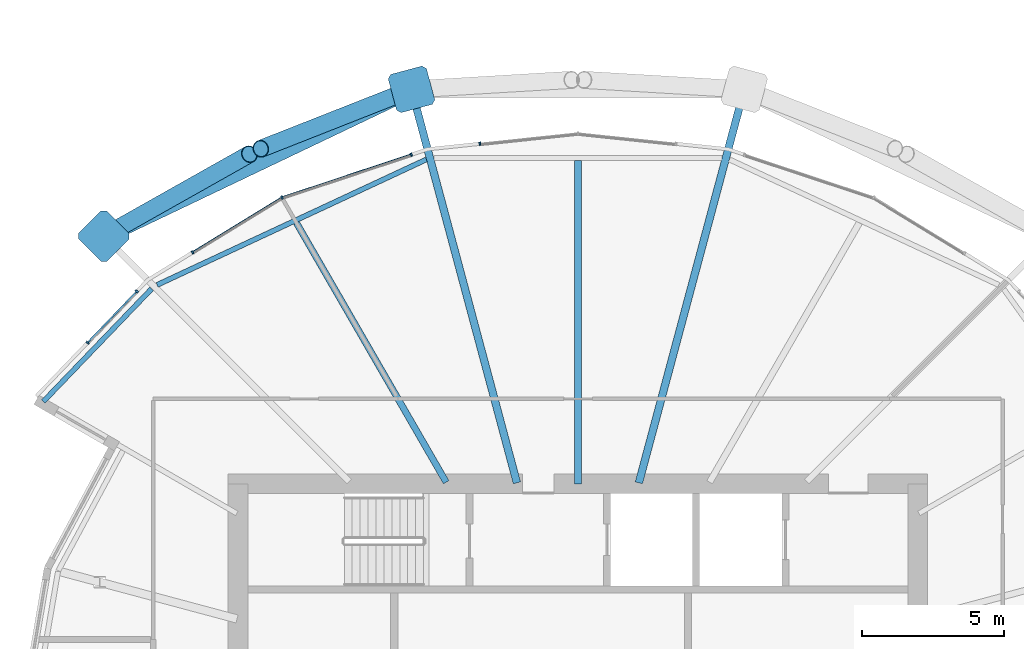
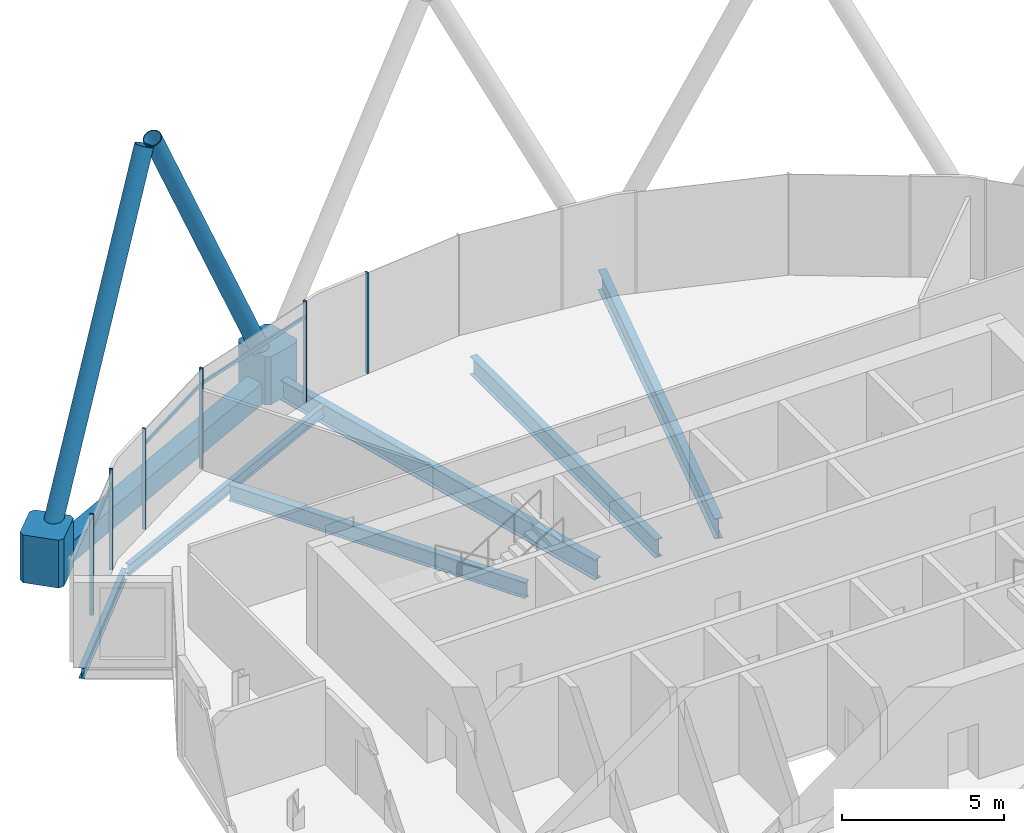
# One storey, part 9 of 35: 13 members, 7 beams, 1 element without a shape of its own.
"""IFC4 building model written with IfcOpenShell, lengths in metres."""

from ifc_helpers import new_model, si_unit, direction, frame, origin, origin_2d, place, context, subcontext, project, spatial, polyline, rectangle, hollow_rectangle, hollow_circle, i_section, outline, extrude, material, material_profile, profile_set, type_object, element, aggregate, save


model = new_model("IFC4")

# Units and contexts
model_context = context("Model", 3, precision=1e-05, world=origin(), true_north=direction((0.0, 1.0)))
body_context = subcontext(model_context, "Body", "Model", "MODEL_VIEW")
ifc_project = project(units=[si_unit("LENGTHUNIT", "METRE"), si_unit("AREAUNIT", "SQUARE_METRE"), si_unit("VOLUMEUNIT", "CUBIC_METRE"), si_unit("PLANEANGLEUNIT", "RADIAN"), si_unit("MASSUNIT", "GRAM", prefix="KILO")], contexts=[model_context])

# Site, building, storey
site_placement = place(None, origin())
site = spatial("IfcSite", under=ifc_project, at=site_placement, CompositionType="ELEMENT")
building_placement = place(site_placement, origin())
building = spatial("IfcBuilding", under=site, at=building_placement, Name="Rimbun Link Towers", CompositionType="ELEMENT")
storey_placement = place(building_placement, frame((0.0, 0.0, 146.800048828125)))
storey = spatial("IfcBuildingStorey", under=building, at=storey_placement, Name="L35", CompositionType="ELEMENT", Elevation=146.800048828125)

# Curtain wall, members
ifc_material_1 = material(Name="Aluminium 6063-T6 and low-iron glass", Category="aluminium")
curtain_wall_type = type_object("IfcCurtainWallType", Name="CW4 link block wall", PredefinedType="NOTDEFINED", material=ifc_material_1)
curtain_wall_placement = place(storey_placement, origin())
curtain_wall = element("IfcCurtainWall", 1, at=curtain_wall_placement, inside=storey, type_object=curtain_wall_type, Name="CW4 L35 T1", PredefinedType="NOTDEFINED")
ifc_material_2 = material(Name="Aluminium 6063-T6", Category="aluminium")
ifc_material_profile_1 = material_profile(ifc_material_2, rectangle(XDim=0.1201171875, YDim=0.06005859375, at=origin_2d()), Name="MULLION 60X120")
ifc_profile_set_1 = profile_set([ifc_material_profile_1], Name="Aluminium 6063-T6")
member_type_1 = type_object("IfcMemberType", Name="CW4 mullion 60X120", PredefinedType="MULLION", material=ifc_profile_set_1)
member_1_placement = place(storey_placement, frame((-35.21044921875, 20.011474609375, 0.0), z_axis=(0.0, 0.0, 1.0), x_axis=(-0.104745411125, 0.994499069305, 0.0)))
member_1 = element("IfcMember", 2, at=member_1_placement, type_object=member_type_1, Name="CW4 mullion", PredefinedType="MULLION", context=body_context, shape_type="SweptSolid", body=[
    extrude(rectangle(XDim=0.1201171875, YDim=0.06005859375, at=origin_2d()), origin(), (0.0, 0.0, 1.0), 3.800048828125),
])
member_2_placement = place(storey_placement, frame((-42.20068359375, 18.11181640625, 0.0), z_axis=(0.0, 0.0, 1.0), x_axis=(-0.421697332152, 0.906736654192, 0.0)))
member_2 = element("IfcMember", 3, at=member_2_placement, type_object=member_type_1, Name="CW4 mullion", PredefinedType="MULLION", context=body_context, shape_type="SweptSolid", body=[
    extrude(rectangle(XDim=0.1201171875, YDim=0.06005859375, at=origin_2d()), origin(), (0.0, 0.0, 1.0), 3.800048828125),
])
member_3_placement = place(storey_placement, frame((-37.632568359375, 19.626220703125, 0.0), z_axis=(0.0, 0.0, 1.0), x_axis=(-0.314567961741, 0.949234953763, 0.0)))
member_3 = element("IfcMember", 4, at=member_3_placement, type_object=member_type_1, Name="CW4 mullion", PredefinedType="MULLION", context=body_context, shape_type="SweptSolid", body=[
    extrude(rectangle(XDim=0.1201171875, YDim=0.06005859375, at=origin_2d()), origin(), (0.0, 0.0, 1.0), 3.800048828125),
])
member_4_placement = place(storey_placement, frame((-45.359130859375, 16.17333984375, 0.0), z_axis=(0.0, 0.0, 1.0), x_axis=(-0.523225378089, 0.852194346217, 0.0)))
member_4 = element("IfcMember", 5, at=member_4_placement, type_object=member_type_1, Name="CW4 mullion", PredefinedType="MULLION", context=body_context, shape_type="SweptSolid", body=[
    extrude(rectangle(XDim=0.1201171875, YDim=0.06005859375, at=origin_2d()), origin(), (0.0, 0.0, 1.0), 3.800048828125),
])
member_5_placement = place(storey_placement, frame((-49.066162109375, 12.98583984375, 0.0), z_axis=(0.0, 0.0, 1.0), x_axis=(-0.721858090698, 0.692041109252, 0.0)))
member_5 = element("IfcMember", 6, at=member_5_placement, type_object=member_type_1, Name="CW4 mullion", PredefinedType="MULLION", context=body_context, shape_type="SweptSolid", body=[
    extrude(rectangle(XDim=0.1201171875, YDim=0.06005859375, at=origin_2d()), origin(), (0.0, 0.0, 1.0), 3.800048828125),
])
member_6_placement = place(storey_placement, frame((-47.328125, 14.798583984375, 0.0), z_axis=(0.0, 0.0, 1.0), x_axis=(-0.721858090698, 0.692041109252, 0.0)))
member_6 = element("IfcMember", 7, at=member_6_placement, type_object=member_type_1, Name="CW4 mullion", PredefinedType="MULLION", context=body_context, shape_type="SweptSolid", body=[
    extrude(rectangle(XDim=0.1201171875, YDim=0.06005859375, at=origin_2d()), origin(), (0.0, 0.0, 1.0), 3.800048828125),
])
ifc_material_3 = material(Name="Aluminium 6063-T6", Category="aluminium")
ifc_material_profile_2 = material_profile(ifc_material_3, rectangle(XDim=0.06005859375, YDim=0.1201171875, at=origin_2d()), Name="TRANSOM 60X120")
ifc_profile_set_2 = profile_set([ifc_material_profile_2], Name="Aluminium 6063-T6")
member_type_2 = type_object("IfcMemberType", Name="CW4 transom 60X120", PredefinedType="USERDEFINED", material=ifc_profile_set_2)
member_7_placement = place(storey_placement, frame((-42.165283203125, 18.1220703125, 3.199951171875), z_axis=(0.949232304469, 0.314575956093, 0.0), x_axis=(-0.314575956093, 0.949232304469, 0.0)))
member_7 = element("IfcMember", 8, at=member_7_placement, type_object=member_type_2, Name="CW4 transom", ObjectType="TRANSOM", PredefinedType="USERDEFINED", context=body_context, shape_type="SweptSolid", body=[
    extrude(rectangle(XDim=0.06005859375, YDim=0.1201171875, at=origin_2d()), origin(), (0.0, 0.0, 1.0), 4.745849609375),
])
member_8_placement = place(storey_placement, frame((-45.33251953125, 16.187255859375, 3.199951171875), z_axis=(0.852185396319, 0.523239954802, 0.0), x_axis=(-0.523239954802, 0.852185396319, 0.0)))
member_8 = element("IfcMember", 9, at=member_8_placement, type_object=member_type_2, Name="CW4 transom", ObjectType="TRANSOM", PredefinedType="USERDEFINED", context=body_context, shape_type="SweptSolid", body=[
    extrude(rectangle(XDim=0.06005859375, YDim=0.1201171875, at=origin_2d()), origin(), (0.0, 0.0, 1.0), 3.638916015625),
])
member_9_placement = place(storey_placement, frame((-49.0439453125, 13.006103515625, 3.199951171875), z_axis=(0.692061088361, 0.721838936313, 0.0), x_axis=(-0.721838936313, 0.692061088361, 0.0)))
member_9 = element("IfcMember", 10, at=member_9_placement, type_object=member_type_2, Name="CW4 transom", ObjectType="TRANSOM", PredefinedType="USERDEFINED", context=body_context, shape_type="SweptSolid", body=[
    extrude(rectangle(XDim=0.06005859375, YDim=0.1201171875, at=origin_2d()), origin(), (0.0, 0.0, 1.0), 2.451416015625),
])
aggregate(curtain_wall, [member_1, member_2, member_3, member_4, member_5, member_6, member_7, member_8, member_9])

# Members
ifc_material_4 = material(Name="Steel S355J2H", Category="steel")
ifc_material_profile_3 = material_profile(ifc_material_4, hollow_circle(Radius=0.3046875, WallThickness=0.02490234375, at=origin_2d()), Name="Diagrid diagonal CHS 610x25")
ifc_profile_set_3 = profile_set([ifc_material_profile_3], Name="Steel S355J2H")
member_type_3 = type_object("IfcMemberType", Name="Diagrid diagonal CHS 610x25", PredefinedType="BRACE", material=ifc_profile_set_3)
member_10_placement = place(storey_placement, frame((-37.83154296875, 21.8505859375, 0.44873046875), z_axis=(-0.410123535284, -0.161506315636, 0.897615951182), x_axis=(0.366411586926, -0.93045287305, 0.0)))
element("IfcMember", 11, at=member_10_placement, inside=storey, type_object=member_type_3, Name="Diagrid diagonal T1 L35-L38 07b", PredefinedType="BRACE", context=body_context, shape_type="SweptSolid", body=[
    extrude(hollow_circle(Radius=0.3046875, WallThickness=0.02490234375, at=origin_2d()), origin(), (0.0, 0.0, 1.0), 12.480224609375),
])
member_11_placement = place(storey_placement, frame((-48.29833984375, 16.856201171875, 0.446044921875), z_axis=(0.393704990847, 0.221831902449, 0.892068936371), x_axis=(-0.490887866412, 0.871222762909, 0.0)))
element("IfcMember", 12, at=member_11_placement, inside=storey, type_object=member_type_3, Name="Diagrid diagonal T1 L35-L38 09a", PredefinedType="BRACE", context=body_context, shape_type="SweptSolid", body=[
    extrude(hollow_circle(Radius=0.3046875, WallThickness=0.02490234375, at=origin_2d()), origin(), (0.0, 0.0, 1.0), 12.56396484375),
])
ifc_material_5 = material(Name="Cast steel G20Mn5+QT, Rp0.2 300 MPa", Category="steel")
ifc_material_profile_4 = material_profile(ifc_material_5, outline(polyline([(0.699951171875, -0.570068359375), (0.699951171875, 0.570068359375), (0.570068359375, 0.699951171875), (-0.570068359375, 0.699951171875), (-0.699951171875, 0.570068359375), (-0.699951171875, -0.570068359375), (-0.570068359375, -0.699951171875), (0.570068359375, -0.699951171875), (0.699951171875, -0.570068359375)])), Name="NODE 1400x1400")
ifc_profile_set_4 = profile_set([ifc_material_profile_4], Name="Cast steel G20Mn5+QT, Rp0.2 300 MPa")
member_type_4 = type_object("IfcMemberType", Name="Diagrid node cast 1400", PredefinedType="USERDEFINED", material=ifc_profile_set_4)
for number, where, z_axis, x_axis, name in (
    (13, (-37.62646484375, 21.931396484375, -0.900146484375), (0.0, 0.0, 1.0), (-0.258819045103, 0.965925826289, 0.0), "Diagrid node L35 07"),
    (14, (-48.4951171875, 16.7451171875, -0.900146484375), (0.0, 0.0, 1.0), (-0.707106781187, 0.707106781187, 0.0), "Diagrid node L35 09"),
):
    element("IfcMember", number, at=place(storey_placement, frame(where, z_axis=z_axis, x_axis=x_axis)), inside=storey, type_object=member_type_4, Name=name, ObjectType="Diagrid node", PredefinedType="USERDEFINED", context=body_context, shape_type="SweptSolid", body=[
        extrude(outline(polyline([(0.699951171875, -0.570068359375), (0.699951171875, 0.570068359375), (0.570068359375, 0.699951171875), (-0.570068359375, 0.699951171875), (-0.699951171875, 0.570068359375), (-0.699951171875, -0.570068359375), (-0.570068359375, -0.699951171875), (0.570068359375, -0.699951171875), (0.699951171875, -0.570068359375)])), origin(), (0.0, 0.0, 1.0), 1.800048828125),
    ])

# Beams
ifc_material_6 = material(Name="Steel S355J2", Category="steel")
ifc_material_profile_5 = material_profile(ifc_material_6, hollow_rectangle(XDim=0.60009765625, YDim=0.800048828125, WallThickness=0.0400390625, at=origin_2d()), Name="Exoskeleton ring girder BOX 600x800x40")
ifc_profile_set_5 = profile_set([ifc_material_profile_5], Name="Steel S355J2")
beam_type_1 = type_object("IfcBeamType", Name="Exoskeleton ring girder BOX 600x800x40", PredefinedType="BEAM", material=ifc_profile_set_5)
beam_1_placement = place(storey_placement, frame((-38.25830078125, 21.6298828125, -0.56005859375), z_axis=(-0.902515488707, -0.4306573959, 0.0), x_axis=(0.4306573959, -0.902515488707, 0.0)))
element("IfcBeam", 15, at=beam_1_placement, inside=storey, type_object=beam_type_1, Name="Exoskeleton ring girder L35 03", PredefinedType="BEAM", context=body_context, shape_type="SweptSolid", body=[
    extrude(hollow_rectangle(XDim=0.60009765625, YDim=0.800048828125, WallThickness=0.0400390625, at=origin_2d()), origin(), (0.0, 0.0, 1.0), 10.642333984375),
])
ifc_material_7 = material(Name="Steel S355J2", Category="steel")
ifc_material_profile_6 = material_profile(ifc_material_7, i_section(OverallWidth=0.177978515625, OverallDepth=0.406494140625, WebThickness=0.0078125, FlangeThickness=0.0126953125, at=origin_2d()), Name="UB 406x178x60")
ifc_profile_set_6 = profile_set([ifc_material_profile_6], Name="Steel S355J2")
beam_type_2 = type_object("IfcBeamType", Name="UB 406x178x60", PredefinedType="BEAM", material=ifc_profile_set_6)
beam_2_placement = place(storey_placement, frame((-37.102294921875, 19.455810546875, -0.38330078125), z_axis=(-0.906398229698, -0.422424252618, 0.0), x_axis=(0.422424252618, -0.906398229698, 0.0)))
element("IfcBeam", 16, at=beam_2_placement, inside=storey, type_object=beam_type_2, Name="Edge beam T1 L35 07-09", PredefinedType="BEAM", context=body_context, shape_type="SweptSolid", body=[
    extrude(i_section(OverallWidth=0.177978515625, OverallDepth=0.406494140625, WebThickness=0.0078125, FlangeThickness=0.0126953125, at=origin_2d()), origin(), (0.0, 0.0, 1.0), 10.491455078125),
])
beam_3_placement = place(storey_placement, frame((-46.80322265625, 14.888427734375, -0.38330078125), z_axis=(-0.692943628142, -0.720991767094, 0.0), x_axis=(0.720991767094, -0.692943628142, 0.0)))
element("IfcBeam", 17, at=beam_3_placement, inside=storey, type_object=beam_type_2, Name="Edge beam T1 L35 09", PredefinedType="BEAM", context=body_context, shape_type="SweptSolid", body=[
    extrude(i_section(OverallWidth=0.177978515625, OverallDepth=0.406494140625, WebThickness=0.0078125, FlangeThickness=0.0126953125, at=origin_2d()), origin(), (0.0, 0.0, 1.0), 5.52734375),
])
ifc_material_8 = material(Name="Steel S355J2", Category="steel")
ifc_material_profile_7 = material_profile(ifc_material_8, i_section(OverallWidth=0.2275390625, OverallDepth=0.6025390625, WebThickness=0.010498046875, FlangeThickness=0.014892578125, at=origin_2d()), Name="UB 610x229x101")
ifc_profile_set_7 = profile_set([ifc_material_profile_7], Name="Steel S355J2")
beam_type_3 = type_object("IfcBeamType", Name="UB 610x229x101", PredefinedType="BEAM", material=ifc_profile_set_7)
beam_4_placement = place(storey_placement, frame((-36.402099609375, 8.057861328125, -0.4814453125), z_axis=(-0.500014158692, 0.866017229106, 0.0), x_axis=(-0.866017229106, -0.500014158692, 0.0)))
element("IfcBeam", 18, at=beam_4_placement, inside=storey, type_object=beam_type_3, Name="Radial beam T1 L35 08", PredefinedType="BEAM", context=body_context, shape_type="SweptSolid", body=[
    extrude(i_section(OverallWidth=0.2275390625, OverallDepth=0.6025390625, WebThickness=0.010498046875, FlangeThickness=0.014892578125, at=origin_2d()), origin(), (0.0, 0.0, 1.0), 10.577392578125),
])
ifc_material_9 = material(Name="Steel S355J2", Category="steel")
ifc_material_profile_8 = material_profile(ifc_material_9, i_section(OverallWidth=0.253662109375, OverallDepth=0.68359375, WebThickness=0.012451171875, FlangeThickness=0.01904296875, at=origin_2d()), Name="UB 686x254x140")
ifc_profile_set_8 = profile_set([ifc_material_profile_8], Name="Steel S355J2")
beam_type_4 = type_object("IfcBeamType", Name="UB 686x254x140", PredefinedType="BEAM", material=ifc_profile_set_8)
beam_5_placement = place(storey_placement, frame((-31.75, 8.0009765625, -0.521728515625), z_axis=(0.0, 1.0, 0.0), x_axis=(-1.0, 0.0, 0.0)))
element("IfcBeam", 19, at=beam_5_placement, inside=storey, type_object=beam_type_4, Name="Radial beam T1 L35 06", PredefinedType="BEAM", context=body_context, shape_type="SweptSolid", body=[
    extrude(i_section(OverallWidth=0.253662109375, OverallDepth=0.68359375, WebThickness=0.012451171875, FlangeThickness=0.01904296875, at=origin_2d()), origin(), (0.0, 0.0, 1.0), 11.422607421875),
])
ifc_material_10 = material(Name="Steel S355J2", Category="steel")
ifc_material_profile_9 = material_profile(ifc_material_10, i_section(OverallWidth=0.2666015625, OverallDepth=0.76220703125, WebThickness=0.014404296875, FlangeThickness=0.021484375, at=origin_2d()), Name="UB 762x267x173")
ifc_profile_set_9 = profile_set([ifc_material_profile_9], Name="Steel S355J2")
beam_type_5 = type_object("IfcBeamType", Name="UB 762x267x173", PredefinedType="BEAM", material=ifc_profile_set_9)
for number, where, z_axis, x_axis, name in (
    (20, (-29.596923828125, 8.035400390625, -0.56103515625), (0.258816935053, 0.965926391673, 0.0), (-0.965926391673, 0.258816935053, 0.0), "Radial beam T1 L35 05"),
    (21, (-33.903076171875, 8.035400390625, -0.56103515625), (-0.258816935053, 0.965926391673, 0.0), (-0.965926391673, -0.258816935053, 0.0), "Radial beam T1 L35 07"),
):
    element("IfcBeam", number, at=place(storey_placement, frame(where, z_axis=z_axis, x_axis=x_axis)), inside=storey, type_object=beam_type_5, Name=name, PredefinedType="BEAM", context=body_context, shape_type="SweptSolid", body=[
        extrude(i_section(OverallWidth=0.2666015625, OverallDepth=0.76220703125, WebThickness=0.014404296875, FlangeThickness=0.021484375, at=origin_2d()), origin(), (0.0, 0.0, 1.0), 13.88623046875),
    ])

save(model, "model.ifc")
